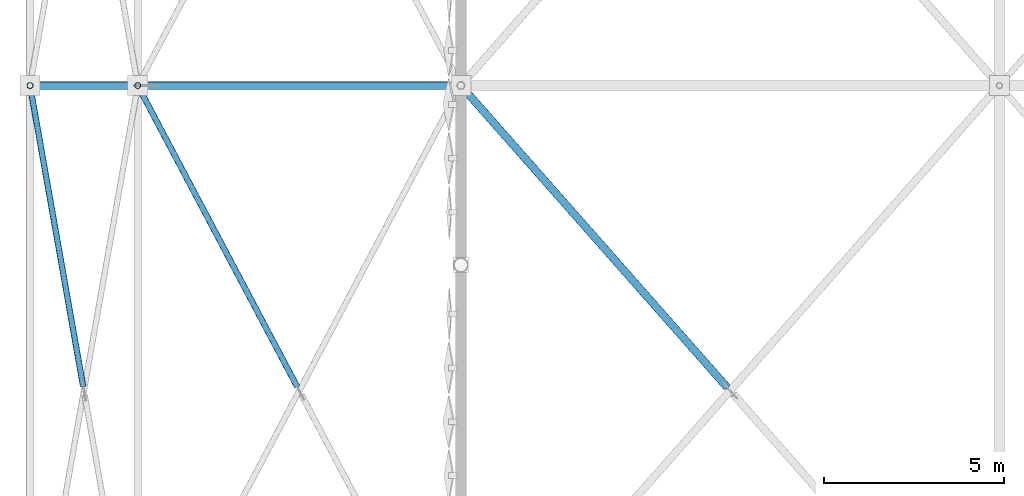
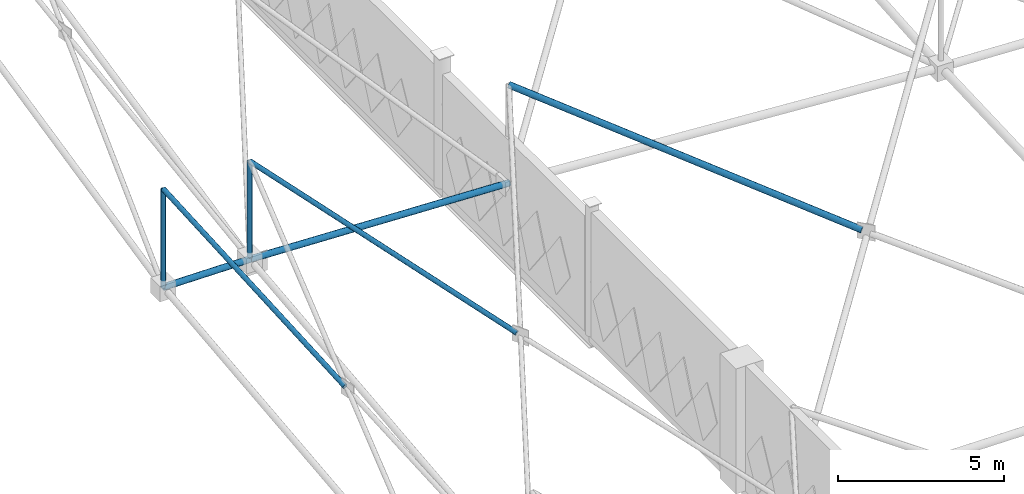
# One storey, part 71 of 224: 7 members.
"""IFC4 building model written with IfcOpenShell, lengths in metres."""

from ifc_helpers import new_model, si_unit, direction, frame, origin, origin_2d, place, context, subcontext, project, spatial, hollow_circle, extrude, material, material_profile, profile_set, type_object, element, save


model = new_model("IFC4")

# Units and contexts
model_context = context("Model", 3, precision=1e-05, world=origin(), true_north=direction((0.0, 1.0)))
body_context = subcontext(model_context, "Body", "Model", "MODEL_VIEW")
ifc_project = project(units=[si_unit("LENGTHUNIT", "METRE"), si_unit("AREAUNIT", "SQUARE_METRE"), si_unit("VOLUMEUNIT", "CUBIC_METRE"), si_unit("PLANEANGLEUNIT", "RADIAN"), si_unit("MASSUNIT", "GRAM", prefix="KILO")], contexts=[model_context])

# Site, building, storey
site_placement = place(None, origin())
site = spatial("IfcSite", under=ifc_project, at=site_placement, CompositionType="ELEMENT")
building_placement = place(site_placement, origin())
building = spatial("IfcBuilding", under=site, at=building_placement, Name="Qamarlyn Nura Convention Centre", CompositionType="ELEMENT")
storey_placement = place(building_placement, frame((0.0, 0.0, 10.800048828125)))
storey = spatial("IfcBuildingStorey", under=building, at=storey_placement, Name="L02", CompositionType="ELEMENT", Elevation=10.800048828125)

# Members
ifc_material = material(Name="Pearl-white PVDF steel ASTM A500 Grade C", Category="steel")
ifc_material_profile_1 = material_profile(ifc_material, hollow_circle(Radius=0.109619140625, WallThickness=0.010009765625, at=origin_2d()), Name="CHS219.1X10")
ifc_profile_set_1 = profile_set([ifc_material_profile_1], Name="Pearl-white PVDF steel ASTM A500 Grade C")
member_type_1 = type_object("IfcMemberType", Name="SF-BC-EAVE", PredefinedType="CHORD", material=ifc_profile_set_1)
member_1_placement = place(storey_placement, frame((-12.0, 86.0, 2.857666015625), z_axis=(0.999963494154, 0.0, -0.008544609935), x_axis=(0.0, 1.0, 0.0)))
element("IfcMember", 1, at=member_1_placement, inside=storey, type_object=member_type_1, Name="ROOF TRUSS space frame bottom chord X0-6", PredefinedType="CHORD", context=body_context, shape_type="SweptSolid", body=[
    extrude(hollow_circle(Radius=0.109619140625, WallThickness=0.010009765625, at=origin_2d()), origin(), (0.0, 0.0, 1.0), 3.0),
])
member_2_placement = place(storey_placement, frame((-9.0, 86.0, 2.83203125), z_axis=(0.999251614623, 0.0, -0.038680882543), x_axis=(0.0, 1.0, 0.0)))
element("IfcMember", 2, at=member_2_placement, inside=storey, type_object=member_type_1, Name="ROOF TRUSS space frame bottom chord X1-6", PredefinedType="CHORD", context=body_context, shape_type="SweptSolid", body=[
    extrude(hollow_circle(Radius=0.109619140625, WallThickness=0.010009765625, at=origin_2d()), origin(), (0.0, 0.0, 1.0), 9.0068359375),
])
ifc_material_profile_2 = material_profile(ifc_material, hollow_circle(Radius=0.109619140625, WallThickness=0.010009765625, at=origin_2d()), Name="CHS219.1X10")
ifc_profile_set_2 = profile_set([ifc_material_profile_2], Name="Pearl-white PVDF steel ASTM A500 Grade C")
member_type_2 = type_object("IfcMemberType", Name="SF-WEB-HVY", PredefinedType="BRACE", material=ifc_profile_set_2)
member_3_placement = place(storey_placement, frame((7.409912109375, 77.602294921875, 3.257568359375), z_axis=(-0.641519585661, 0.727038621066, 0.244678288149), x_axis=(-0.749830221322, -0.661630288902, 0.0)))
element("IfcMember", 3, at=member_3_placement, inside=storey, type_object=member_type_2, Name="ROOF TRUSS space frame split diagonal B2 2-5", PredefinedType="BRACE", context=body_context, shape_type="SweptSolid", body=[
    extrude(hollow_circle(Radius=0.109619140625, WallThickness=0.010009765625, at=origin_2d()), origin(), (0.0, 0.0, 1.0), 11.550537109375),
])
ifc_material_profile_3 = material_profile(ifc_material, hollow_circle(Radius=0.084228515625, WallThickness=0.008056640625, at=origin_2d()), Name="CHS168.3X8")
ifc_profile_set_3 = profile_set([ifc_material_profile_3], Name="Pearl-white PVDF steel ASTM A500 Grade C")
member_type_3 = type_object("IfcMemberType", Name="SF-WEB-STD", PredefinedType="BRACE", material=ifc_profile_set_3)
member_4_placement = place(storey_placement, frame((-10.523193359375, 77.631591796875, 3.7685546875), z_axis=(-0.165691125186, 0.938898115061, 0.301689874822), x_axis=(-0.984782980353, -0.173788611843, 0.0)))
element("IfcMember", 4, at=member_4_placement, inside=storey, type_object=member_type_3, Name="ROOF TRUSS space frame split diagonal B2 0-5", PredefinedType="BRACE", context=body_context, shape_type="SweptSolid", body=[
    extrude(hollow_circle(Radius=0.084228515625, WallThickness=0.008056640625, at=origin_2d()), origin(), (0.0, 0.0, 1.0), 8.9130859375),
])
member_5_placement = place(storey_placement, frame((-12.0, 86.0, 2.857666015625), z_axis=(0.0, 0.0, 1.0), x_axis=(1.0, 0.0, 0.0)))
element("IfcMember", 5, at=member_5_placement, inside=storey, type_object=member_type_3, Name="ROOF TRUSS space frame vertical 0-6", PredefinedType="BRACE", context=body_context, shape_type="SweptSolid", body=[
    extrude(hollow_circle(Radius=0.084228515625, WallThickness=0.008056640625, at=origin_2d()), origin(), (0.0, 0.0, 1.0), 3.599853515625),
])
member_6_placement = place(storey_placement, frame((-4.56298828125, 77.618896484375, 3.653076171875), z_axis=(-0.449001251275, 0.848121709861, 0.281224895084), x_axis=(-0.883789795007, -0.467884171822, 0.0)))
element("IfcMember", 6, at=member_6_placement, inside=storey, type_object=member_type_3, Name="ROOF TRUSS space frame split diagonal B2 1-5", PredefinedType="BRACE", context=body_context, shape_type="SweptSolid", body=[
    extrude(hollow_circle(Radius=0.084228515625, WallThickness=0.008056640625, at=origin_2d()), origin(), (0.0, 0.0, 1.0), 9.882080078125),
])
member_7_placement = place(storey_placement, frame((-9.0, 86.0, 2.83203125), z_axis=(0.0, 0.0, 1.0), x_axis=(1.0, 0.0, 0.0)))
element("IfcMember", 7, at=member_7_placement, inside=storey, type_object=member_type_3, Name="ROOF TRUSS space frame vertical 1-6", PredefinedType="BRACE", context=body_context, shape_type="SweptSolid", body=[
    extrude(hollow_circle(Radius=0.084228515625, WallThickness=0.008056640625, at=origin_2d()), origin(), (0.0, 0.0, 1.0), 3.60009765625),
])

save(model, "model.ifc")
